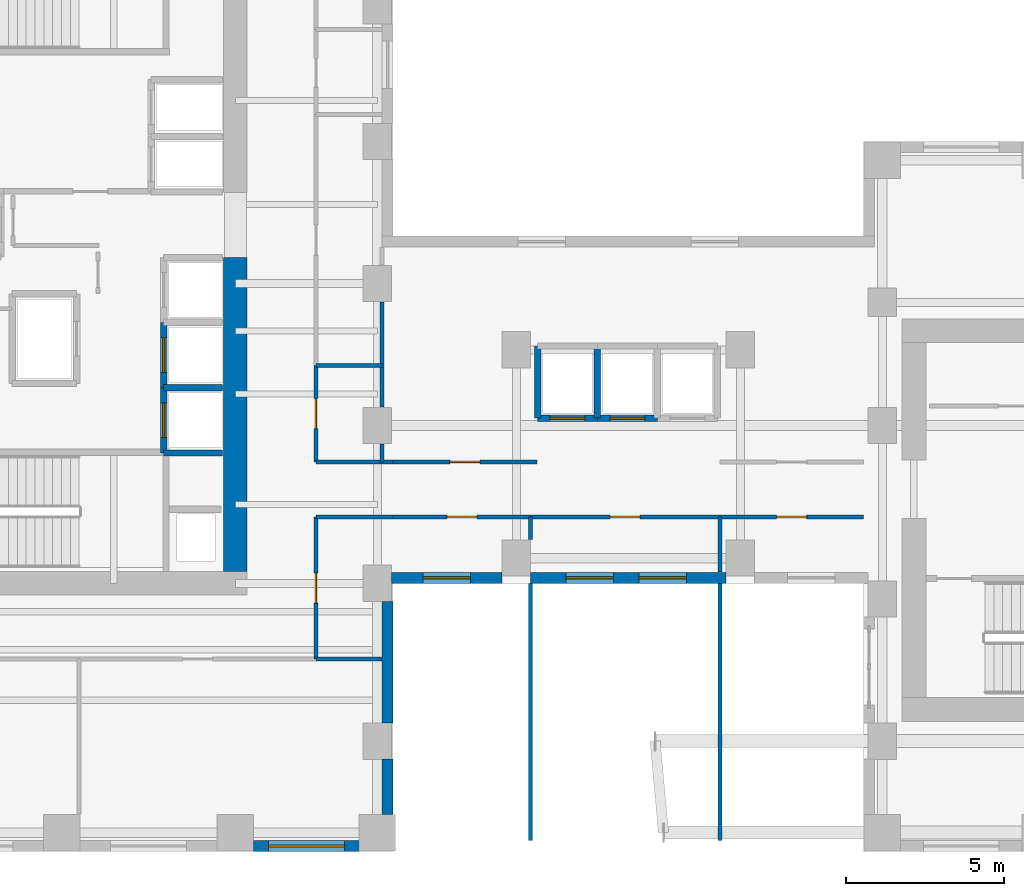
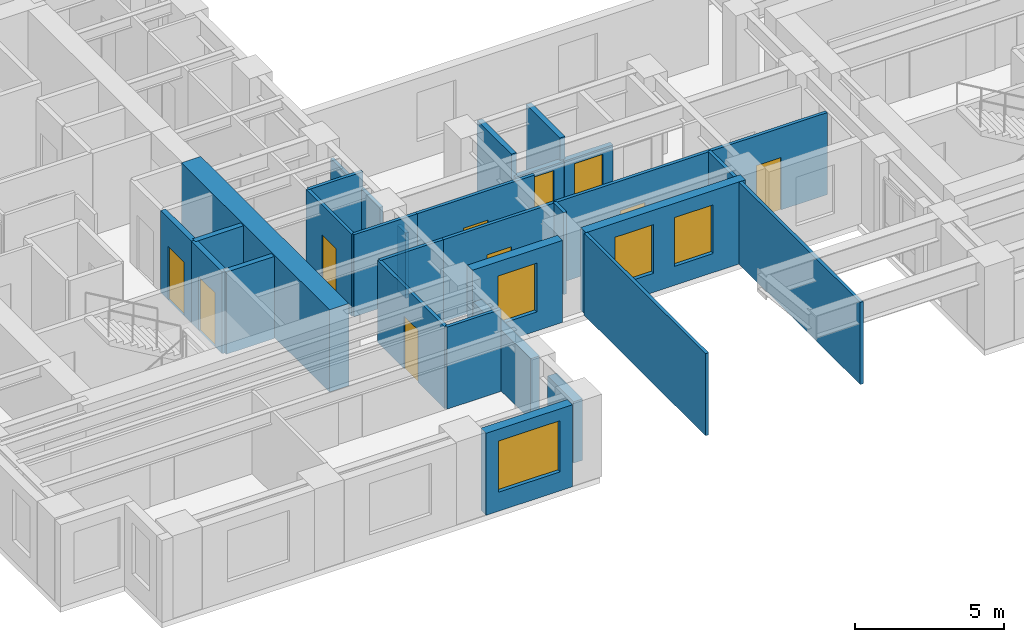
# One storey, part 7 of 14: 30 walls, 10 doors, 4 windows, 14 openings.
"""IFC4 building model written with IfcOpenShell, lengths in metres."""

from ifc_helpers import new_model, si_unit, direction, frame, frame_2d, origin, place, context, subcontext, project, spatial, rectangle, extrude, source, transform, mapped, material, layer, layer_set, type_object, element, fill, save


model = new_model("IFC4")

# Units and contexts
model_context = context("Model", 3, precision=1e-05, world=origin(), true_north=direction((0.0, 1.0)))
body_context = subcontext(model_context, "Body", "Model", "MODEL_VIEW")
ifc_project = project(units=[si_unit("LENGTHUNIT", "METRE"), si_unit("AREAUNIT", "SQUARE_METRE"), si_unit("VOLUMEUNIT", "CUBIC_METRE"), si_unit("PLANEANGLEUNIT", "RADIAN"), si_unit("MASSUNIT", "GRAM", prefix="KILO")], contexts=[model_context])

# Site, building, storey
site_placement = place(None, origin())
site = spatial("IfcSite", under=ifc_project, at=site_placement, CompositionType="ELEMENT")
building_placement = place(site_placement, origin())
building = spatial("IfcBuilding", under=site, at=building_placement, Name="Kharzan Plaza Tower", CompositionType="ELEMENT")
storey_placement = place(building_placement, frame((0.0, 0.0, 88.199951171875)))
storey = spatial("IfcBuildingStorey", under=building, at=storey_placement, Name="L23", CompositionType="ELEMENT", Elevation=88.199951171875)

# Wall, opening, window
ifc_material_1 = material(Name="Concrete C40/50", Category="concrete")
ifc_layer_1 = layer(ifc_material_1, 0.35009765625)
ifc_layer_set_1 = layer_set([ifc_layer_1], Name="Concrete C40/50")
wall_type_1 = type_object("IfcWallType", Name="WL-EXT-MAS-Z2", PredefinedType="SOLIDWALL", material=ifc_layer_set_1)
wall_1_placement = place(storey_placement, frame((15.072998046875, 0.175048828125, 0.0), z_axis=(0.0, 0.0, 1.0), x_axis=(1.0, 0.0, 0.0)))
wall_1 = element("IfcWall", 1, at=wall_1_placement, inside=storey, type_object=wall_type_1, Name="L23 Masonry-Frame Exterior Wall 31", PredefinedType="SOLIDWALL", context=body_context, shape_type="SweptSolid", body=[
    extrude(rectangle(XDim=3.35400390625, YDim=0.35009765625, at=frame_2d((1.677001953125, 0.0))), origin(), (0.0, 0.0, 1.0), 3.364990234375),
])
opening_1_placement = place(wall_1_placement, frame((0.47705078125, 0.0, 0.780029296875)))
opening_1 = element("IfcOpeningElement", 2, at=opening_1_placement, cuts=wall_1, Name="Opening W2", PredefinedType="OPENING", context=body_context, shape_type="SweptSolid", body=[
    extrude(rectangle(XDim=2.39990234375, YDim=2.10009765625, at=frame_2d((1.199951171875, 1.050048828125))), frame((0.0, 0.18505859375, 0.0), z_axis=(0.0, -1.0, 0.0), x_axis=(1.0, 0.0, 0.0)), (0.0, 0.0, 1.0), 0.3701171875),
])
ifc_material_2 = material(Name="Low-E Double Glazing", Category="glass")
window_type_1 = type_object("IfcWindowType", Name="WN-REC-2400x2100", PartitioningType="SINGLE_PANEL", PredefinedType="WINDOW", material=ifc_material_2)
shared_shape_1 = source(origin(), body_context, "Body", "SweptSolid", [
    extrude(rectangle(XDim=2.39990234375, YDim=2.10009765625, at=frame_2d((1.199951171875, 1.050048828125))), frame((0.0, 0.030029296875, 0.0), z_axis=(0.0, -1.0, 0.0), x_axis=(1.0, 0.0, 0.0)), (0.0, 0.0, 1.0), 0.06005859375),
])
window_1_placement = place(opening_1_placement, origin())
window_1 = element("IfcWindow", 3, at=window_1_placement, inside=storey, type_object=window_type_1, Name="L23 Wide Recessed Solar-Control Window 31-1", OverallHeight=2.10009765625, OverallWidth=2.39990234375, PartitioningType="SINGLE_PANEL", PredefinedType="WINDOW", context=body_context, shape_type="MappedRepresentation", body=[
    mapped(shared_shape_1, transform((0.0, 0.0, 0.0), x_axis=(1.0, 0.0, 0.0), y_axis=(0.0, 1.0, 0.0), z_axis=(0.0, 0.0, 1.0))),
])
fill(opening_1, window_1)

wall_2_placement = place(storey_placement, frame((19.447998046875, 8.675048828125, 0.0), z_axis=(0.0, 0.0, 1.0), x_axis=(1.0, 0.0, 0.0)))
wall_2 = element("IfcWall", 4, at=wall_2_placement, inside=storey, type_object=wall_type_1, Name="L23 Masonry-Frame Exterior Wall 34", PredefinedType="SOLIDWALL", context=body_context, shape_type="SweptSolid", body=[
    extrude(rectangle(XDim=3.50390625, YDim=0.35009765625, at=frame_2d((1.751953125, 0.0))), origin(), (0.0, 0.0, 1.0), 3.364990234375),
])
opening_2_placement = place(wall_2_placement, frame((1.001953125, 0.0, 0.780029296875)))
opening_2 = element("IfcOpeningElement", 5, at=opening_2_placement, cuts=wall_2, Name="Opening W5", PredefinedType="OPENING", context=body_context, shape_type="SweptSolid", body=[
    extrude(rectangle(XDim=1.5, YDim=2.0, at=frame_2d((0.75, 1.0))), frame((0.0, 0.18505859375, 0.0), z_axis=(0.0, -1.0, 0.0), x_axis=(1.0, 0.0, 0.0)), (0.0, 0.0, 1.0), 0.3701171875),
])
window_type_2 = type_object("IfcWindowType", Name="WN-SLT-1500x2000", PartitioningType="SINGLE_PANEL", PredefinedType="WINDOW", material=ifc_material_2)
shared_shape_2 = source(origin(), body_context, "Body", "SweptSolid", [
    extrude(rectangle(XDim=1.5, YDim=2.0, at=frame_2d((0.75, 1.0))), frame((0.0, 0.030029296875, 0.0), z_axis=(0.0, -1.0, 0.0), x_axis=(1.0, 0.0, 0.0)), (0.0, 0.0, 1.0), 0.06005859375),
])
window_2_placement = place(opening_2_placement, origin())
window_2 = element("IfcWindow", 6, at=window_2_placement, inside=storey, type_object=window_type_2, Name="L23 Recessed Solar-Control Window 34-1", OverallHeight=2.0, OverallWidth=1.5, PartitioningType="SINGLE_PANEL", PredefinedType="WINDOW", context=body_context, shape_type="MappedRepresentation", body=[
    mapped(shared_shape_2, transform((0.0, 0.0, 0.0), x_axis=(1.0, 0.0, 0.0), y_axis=(0.0, 1.0, 0.0), z_axis=(0.0, 0.0, 1.0))),
])
fill(opening_2, window_2)

# Wall, openings, windows
wall_3_placement = place(storey_placement, frame((23.847900390625, 8.675048828125, 0.0), z_axis=(0.0, 0.0, 1.0), x_axis=(1.0, 0.0, 0.0)))
wall_3 = element("IfcWall", 7, at=wall_3_placement, inside=storey, type_object=wall_type_1, Name="L23 Masonry-Frame Exterior Wall 35", PredefinedType="SOLIDWALL", context=body_context, shape_type="SweptSolid", body=[
    extrude(rectangle(XDim=6.2041015625, YDim=0.35009765625, at=frame_2d((3.10205078125, 0.0))), origin(), (0.0, 0.0, 1.0), 3.364990234375),
])
opening_3_placement = place(wall_3_placement, frame((1.130615234375, 0.0, 0.780029296875)))
opening_3 = element("IfcOpeningElement", 8, at=opening_3_placement, cuts=wall_3, Name="Opening W5", PredefinedType="OPENING", context=body_context, shape_type="SweptSolid", body=[
    extrude(rectangle(XDim=1.5, YDim=2.0, at=frame_2d((0.75, 1.0))), frame((0.0, 0.18505859375, 0.0), z_axis=(0.0, -1.0, 0.0), x_axis=(1.0, 0.0, 0.0)), (0.0, 0.0, 1.0), 0.3701171875),
])
opening_4_placement = place(wall_3_placement, frame((3.44140625, 0.0, 0.780029296875)))
opening_4 = element("IfcOpeningElement", 9, at=opening_4_placement, cuts=wall_3, Name="Opening W5", PredefinedType="OPENING", context=body_context, shape_type="SweptSolid", body=[
    extrude(rectangle(XDim=1.5, YDim=2.0, at=frame_2d((0.75, 1.0))), frame((0.0, 0.18505859375, 0.0), z_axis=(0.0, -1.0, 0.0), x_axis=(1.0, 0.0, 0.0)), (0.0, 0.0, 1.0), 0.3701171875),
])
window_3_placement = place(opening_3_placement, origin())
window_3 = element("IfcWindow", 10, at=window_3_placement, inside=storey, type_object=window_type_2, Name="L23 Recessed Solar-Control Window 35-1", OverallHeight=2.0, OverallWidth=1.5, PartitioningType="SINGLE_PANEL", PredefinedType="WINDOW", context=body_context, shape_type="MappedRepresentation", body=[
    mapped(shared_shape_2, transform((0.0, 0.0, 0.0), x_axis=(1.0, 0.0, 0.0), y_axis=(0.0, 1.0, 0.0), z_axis=(0.0, 0.0, 1.0))),
])
fill(opening_3, window_3)
window_4_placement = place(opening_4_placement, origin())
window_4 = element("IfcWindow", 11, at=window_4_placement, inside=storey, type_object=window_type_2, Name="L23 Recessed Solar-Control Window 35-2", OverallHeight=2.0, OverallWidth=1.5, PartitioningType="SINGLE_PANEL", PredefinedType="WINDOW", context=body_context, shape_type="MappedRepresentation", body=[
    mapped(shared_shape_2, transform((0.0, 0.0, 0.0), x_axis=(1.0, 0.0, 0.0), y_axis=(0.0, 1.0, 0.0), z_axis=(0.0, 0.0, 1.0))),
])
fill(opening_4, window_4)

# Wall, opening, door
ifc_material_3 = material(Name="Fire-Rated Gypsum Board Partition", Category="gypsum")
ifc_layer_2 = layer(ifc_material_3, 0.125)
ifc_layer_set_2 = layer_set([ifc_layer_2], Name="Fire-Rated Gypsum Board Partition")
wall_type_2 = type_object("IfcWallType", Name="WL-INT-PART-125", PredefinedType="PARTITIONING", material=ifc_layer_set_2)
wall_4_placement = place(storey_placement, frame((17.050048828125, 12.35009765625, 0.0), z_axis=(0.0, 0.0, 1.0), x_axis=(0.0, 1.0, 0.0)))
wall_4 = element("IfcWall", 12, at=wall_4_placement, inside=storey, type_object=wall_type_2, Name="L23 Interior Partition SH-AEWN1", PredefinedType="PARTITIONING", context=body_context, shape_type="SweptSolid", body=[
    extrude(rectangle(XDim=3.0498046875, YDim=0.125, at=frame_2d((1.52490234375, 0.0))), origin(), (0.0, 0.0, 1.0), 3.364990234375),
])
opening_5_placement = place(wall_4_placement, frame((1.050048828125, 0.0, 0.0)))
opening_5 = element("IfcOpeningElement", 13, at=opening_5_placement, cuts=wall_4, Name="Opening OD1", PredefinedType="OPENING", context=body_context, shape_type="SweptSolid", body=[
    extrude(rectangle(XDim=0.949951171875, YDim=2.14990234375, at=frame_2d((0.47509765625, 1.074951171875))), frame((0.0, 0.072509765625, 0.0), z_axis=(0.0, -1.0, 0.0), x_axis=(1.0, 0.0, 0.0)), (0.0, 0.0, 1.0), 0.14501953125),
])
ifc_material_4 = material(Name="Acoustic Solid-Core Stained Oak", Category="timber")
door_type_1 = type_object("IfcDoorType", Name="DR-OFF-SINGLE", OperationType="NOTDEFINED", PredefinedType="DOOR", material=ifc_material_4)
shared_shape_3 = source(origin(), body_context, "Body", "SweptSolid", [
    extrude(rectangle(XDim=0.949951171875, YDim=2.14990234375, at=frame_2d((0.47509765625, 1.074951171875))), frame((0.0, 0.02490234375, 0.0), z_axis=(0.0, -1.0, 0.0), x_axis=(1.0, 0.0, 0.0)), (0.0, 0.0, 1.0), 0.050048828125),
])
door_1_placement = place(opening_5_placement, origin())
door_1 = element("IfcDoor", 14, at=door_1_placement, inside=storey, type_object=door_type_1, Name="L23 Slot Collaboration Door", OperationType="SINGLE_SWING_RIGHT", OverallHeight=2.14990234375, OverallWidth=0.949951171875, PredefinedType="DOOR", context=body_context, shape_type="MappedRepresentation", body=[
    mapped(shared_shape_3, transform((0.0, 0.0, 0.0), x_axis=(1.0, 0.0, 0.0), y_axis=(0.0, 1.0, 0.0), z_axis=(0.0, 0.0, 1.0))),
])
fill(opening_5, door_1)

wall_5_placement = place(storey_placement, frame((17.050048828125, 6.10009765625, 0.0), z_axis=(0.0, 0.0, 1.0), x_axis=(0.0, 1.0, 0.0)))
wall_5 = element("IfcWall", 15, at=wall_5_placement, inside=storey, type_object=wall_type_2, Name="L23 Interior Partition SH-AEWS", PredefinedType="PARTITIONING", context=body_context, shape_type="SweptSolid", body=[
    extrude(rectangle(XDim=4.5, YDim=0.125, at=frame_2d((2.25, 0.0))), origin(), (0.0, 0.0, 1.0), 3.364990234375),
])
opening_6_placement = place(wall_5_placement, frame((1.77490234375, 0.0, 0.0)))
opening_6 = element("IfcOpeningElement", 16, at=opening_6_placement, cuts=wall_5, Name="Opening OD1", PredefinedType="OPENING", context=body_context, shape_type="SweptSolid", body=[
    extrude(rectangle(XDim=0.949951171875, YDim=2.14990234375, at=frame_2d((0.47509765625, 1.074951171875))), frame((0.0, 0.072509765625, 0.0), z_axis=(0.0, -1.0, 0.0), x_axis=(1.0, 0.0, 0.0)), (0.0, 0.0, 1.0), 0.14501953125),
])
door_2_placement = place(opening_6_placement, origin())
door_2 = element("IfcDoor", 17, at=door_2_placement, inside=storey, type_object=door_type_1, Name="L23 Slot South Office Door", OperationType="SINGLE_SWING_LEFT", OverallHeight=2.14990234375, OverallWidth=0.949951171875, PredefinedType="DOOR", context=body_context, shape_type="MappedRepresentation", body=[
    mapped(shared_shape_3, transform((0.0, 0.0, 0.0), x_axis=(1.0, 0.0, 0.0), y_axis=(0.0, 1.0, 0.0), z_axis=(0.0, 0.0, 1.0))),
])
fill(opening_6, door_2)

wall_6_placement = place(storey_placement, frame((19.5, 12.35009765625, 0.0), z_axis=(0.0, 0.0, 1.0), x_axis=(1.0, 0.0, 0.0)))
wall_6 = element("IfcWall", 18, at=wall_6_placement, inside=storey, type_object=wall_type_2, Name="L23 Interior Partition SH-SPNW1", PredefinedType="PARTITIONING", context=body_context, shape_type="SweptSolid", body=[
    extrude(rectangle(XDim=4.550048828125, YDim=0.125, at=frame_2d((2.27490234375, 0.0))), origin(), (0.0, 0.0, 1.0), 3.364990234375),
])
opening_7_placement = place(wall_6_placement, frame((1.800048828125, 0.0, 0.0)))
opening_7 = element("IfcOpeningElement", 19, at=opening_7_placement, cuts=wall_6, Name="Opening OD1", PredefinedType="OPENING", context=body_context, shape_type="SweptSolid", body=[
    extrude(rectangle(XDim=0.949951171875, YDim=2.14990234375, at=frame_2d((0.47509765625, 1.074951171875))), frame((0.0, 0.072509765625, 0.0), z_axis=(0.0, -1.0, 0.0), x_axis=(1.0, 0.0, 0.0)), (0.0, 0.0, 1.0), 0.14501953125),
])
door_3_placement = place(opening_7_placement, origin())
door_3 = element("IfcDoor", 20, at=door_3_placement, inside=storey, type_object=door_type_1, Name="L23 North-West Spine Door", OperationType="SINGLE_SWING_LEFT", OverallHeight=2.14990234375, OverallWidth=0.949951171875, PredefinedType="DOOR", context=body_context, shape_type="MappedRepresentation", body=[
    mapped(shared_shape_3, transform((0.0, 0.0, 0.0), x_axis=(1.0, 0.0, 0.0), y_axis=(0.0, 1.0, 0.0), z_axis=(0.0, 0.0, 1.0))),
])
fill(opening_7, door_3)

wall_7_placement = place(storey_placement, frame((19.5, 10.60009765625, 0.0), z_axis=(0.0, 0.0, 1.0), x_axis=(1.0, 0.0, 0.0)))
wall_7 = element("IfcWall", 21, at=wall_7_placement, inside=storey, type_object=wall_type_2, Name="L23 Interior Partition SH-SPS1", PredefinedType="PARTITIONING", context=body_context, shape_type="SweptSolid", body=[
    extrude(rectangle(XDim=4.35009765625, YDim=0.125, at=frame_2d((2.175048828125, 0.0))), origin(), (0.0, 0.0, 1.0), 3.364990234375),
])
opening_8_placement = place(wall_7_placement, frame((1.699951171875, 0.0, 0.0)))
opening_8 = element("IfcOpeningElement", 22, at=opening_8_placement, cuts=wall_7, Name="Opening OD1", PredefinedType="OPENING", context=body_context, shape_type="SweptSolid", body=[
    extrude(rectangle(XDim=0.949951171875, YDim=2.14990234375, at=frame_2d((0.47509765625, 1.074951171875))), frame((0.0, 0.072509765625, 0.0), z_axis=(0.0, -1.0, 0.0), x_axis=(1.0, 0.0, 0.0)), (0.0, 0.0, 1.0), 0.14501953125),
])
door_4_placement = place(opening_8_placement, origin())
door_4 = element("IfcDoor", 23, at=door_4_placement, inside=storey, type_object=door_type_1, Name="L23 Spine Studio 1 Door", OperationType="SINGLE_SWING_RIGHT", OverallHeight=2.14990234375, OverallWidth=0.949951171875, PredefinedType="DOOR", context=body_context, shape_type="MappedRepresentation", body=[
    mapped(shared_shape_3, transform((0.0, 0.0, 0.0), x_axis=(1.0, 0.0, 0.0), y_axis=(0.0, 1.0, 0.0), z_axis=(0.0, 0.0, 1.0))),
])
fill(opening_8, door_4)

wall_8_placement = place(storey_placement, frame((23.85009765625, 10.60009765625, 0.0), z_axis=(0.0, 0.0, 1.0), x_axis=(1.0, 0.0, 0.0)))
wall_8 = element("IfcWall", 24, at=wall_8_placement, inside=storey, type_object=wall_type_2, Name="L23 Interior Partition SH-SPS2", PredefinedType="PARTITIONING", context=body_context, shape_type="SweptSolid", body=[
    extrude(rectangle(XDim=6.0, YDim=0.125, at=frame_2d((3.0, 0.0))), origin(), (0.0, 0.0, 1.0), 3.364990234375),
])
opening_9_placement = place(wall_8_placement, frame((2.52490234375, 0.0, 0.0)))
opening_9 = element("IfcOpeningElement", 25, at=opening_9_placement, cuts=wall_8, Name="Opening OD1", PredefinedType="OPENING", context=body_context, shape_type="SweptSolid", body=[
    extrude(rectangle(XDim=0.949951171875, YDim=2.14990234375, at=frame_2d((0.47509765625, 1.074951171875))), frame((0.0, 0.072509765625, 0.0), z_axis=(0.0, -1.0, 0.0), x_axis=(1.0, 0.0, 0.0)), (0.0, 0.0, 1.0), 0.14501953125),
])
door_5_placement = place(opening_9_placement, origin())
door_5 = element("IfcDoor", 26, at=door_5_placement, inside=storey, type_object=door_type_1, Name="L23 Spine Studio 2 Door", OperationType="SINGLE_SWING_LEFT", OverallHeight=2.14990234375, OverallWidth=0.949951171875, PredefinedType="DOOR", context=body_context, shape_type="MappedRepresentation", body=[
    mapped(shared_shape_3, transform((0.0, 0.0, 0.0), x_axis=(1.0, 0.0, 0.0), y_axis=(0.0, 1.0, 0.0), z_axis=(0.0, 0.0, 1.0))),
])
fill(opening_9, door_5)

wall_9_placement = place(storey_placement, frame((29.85009765625, 10.60009765625, 0.0), z_axis=(0.0, 0.0, 1.0), x_axis=(1.0, 0.0, 0.0)))
wall_9 = element("IfcWall", 27, at=wall_9_placement, inside=storey, type_object=wall_type_2, Name="L23 Interior Partition SH-SPS3", PredefinedType="PARTITIONING", context=body_context, shape_type="SweptSolid", body=[
    extrude(rectangle(XDim=4.5498046875, YDim=0.125, at=frame_2d((2.27490234375, 0.0))), origin(), (0.0, 0.0, 1.0), 3.364990234375),
])
opening_10_placement = place(wall_9_placement, frame((1.800048828125, 0.0, 0.0)))
opening_10 = element("IfcOpeningElement", 28, at=opening_10_placement, cuts=wall_9, Name="Opening OD1", PredefinedType="OPENING", context=body_context, shape_type="SweptSolid", body=[
    extrude(rectangle(XDim=0.949951171875, YDim=2.14990234375, at=frame_2d((0.47509765625, 1.074951171875))), frame((0.0, 0.072509765625, 0.0), z_axis=(0.0, -1.0, 0.0), x_axis=(1.0, 0.0, 0.0)), (0.0, 0.0, 1.0), 0.14501953125),
])
door_6_placement = place(opening_10_placement, origin())
door_6 = element("IfcDoor", 29, at=door_6_placement, inside=storey, type_object=door_type_1, Name="L23 Spine Studio 3 Door", OperationType="SINGLE_SWING_RIGHT", OverallHeight=2.14990234375, OverallWidth=0.949951171875, PredefinedType="DOOR", context=body_context, shape_type="MappedRepresentation", body=[
    mapped(shared_shape_3, transform((0.0, 0.0, 0.0), x_axis=(1.0, 0.0, 0.0), y_axis=(0.0, 1.0, 0.0), z_axis=(0.0, 0.0, 1.0))),
])
fill(opening_10, door_6)

ifc_layer_3 = layer(ifc_material_1, 0.199951171875)
ifc_layer_set_3 = layer_set([ifc_layer_3], Name="Concrete C40/50")
wall_type_3 = type_object("IfcWallType", Name="WL-INT-SHAFT-200", PredefinedType="PARTITIONING", material=ifc_layer_set_3)
wall_10_placement = place(storey_placement, frame((12.22998046875, 12.6298828125, 0.0), z_axis=(0.0, 0.0, 1.0), x_axis=(0.0, 1.0, 0.0)))
wall_10 = element("IfcWall", 30, at=wall_10_placement, inside=storey, type_object=wall_type_3, Name="L23 Interior Partition SHF-PL-H1-W", PredefinedType="PARTITIONING", context=body_context, shape_type="SweptSolid", body=[
    extrude(rectangle(XDim=2.070068359375, YDim=0.199951171875, at=frame_2d((1.03515625, 0.0))), origin(), (0.0, 0.0, 1.0), 3.364990234375),
])
opening_11_placement = place(wall_10_placement, frame((0.485107421875, 0.0, 0.0)))
opening_11 = element("IfcOpeningElement", 31, at=opening_11_placement, cuts=wall_10, Name="Opening LD", PredefinedType="OPENING", context=body_context, shape_type="SweptSolid", body=[
    extrude(rectangle(XDim=1.10009765625, YDim=2.199951171875, at=frame_2d((0.550048828125, 1.10009765625))), frame((0.0, 0.10986328125, 0.0), z_axis=(0.0, -1.0, 0.0), x_axis=(1.0, 0.0, 0.0)), (0.0, 0.0, 1.0), 0.219970703125),
])
ifc_material_5 = material(Name="Brushed Stainless Steel", Category="steel")
door_type_2 = type_object("IfcDoorType", Name="DR-LIFT-SLIDE", OperationType="SLIDING_TO_LEFT", PredefinedType="DOOR", material=ifc_material_5)
shared_shape_4 = source(origin(), body_context, "Body", "SweptSolid", [
    extrude(rectangle(XDim=1.10009765625, YDim=2.199951171875, at=frame_2d((0.550048828125, 1.10009765625))), frame((0.0, 0.02490234375, 0.0), z_axis=(0.0, -1.0, 0.0), x_axis=(1.0, 0.0, 0.0)), (0.0, 0.0, 1.0), 0.050048828125),
])
door_7_placement = place(opening_11_placement, origin())
door_7 = element("IfcDoor", 32, at=door_7_placement, inside=storey, type_object=door_type_2, Name="L23 High-Rise Passenger Lift PL-H1 Sliding Landing Door", OperationType="SLIDING_TO_LEFT", OverallHeight=2.199951171875, OverallWidth=1.10009765625, PredefinedType="DOOR", context=body_context, shape_type="MappedRepresentation", body=[
    mapped(shared_shape_4, transform((0.0, 0.0, 0.0), x_axis=(1.0, 0.0, 0.0), y_axis=(0.0, 1.0, 0.0), z_axis=(0.0, 0.0, 1.0))),
])
fill(opening_11, door_7)

wall_11_placement = place(storey_placement, frame((12.22998046875, 14.699951171875, 0.0), z_axis=(0.0, 0.0, 1.0), x_axis=(0.0, 1.0, 0.0)))
wall_11 = element("IfcWall", 33, at=wall_11_placement, inside=storey, type_object=wall_type_3, Name="L23 Interior Partition SHF-PL-H2-W", PredefinedType="PARTITIONING", context=body_context, shape_type="SweptSolid", body=[
    extrude(rectangle(XDim=2.070068359375, YDim=0.199951171875, at=frame_2d((1.03515625, 0.0))), origin(), (0.0, 0.0, 1.0), 3.364990234375),
])
opening_12_placement = place(wall_11_placement, frame((0.485107421875, 0.0, 0.0)))
opening_12 = element("IfcOpeningElement", 34, at=opening_12_placement, cuts=wall_11, Name="Opening LD", PredefinedType="OPENING", context=body_context, shape_type="SweptSolid", body=[
    extrude(rectangle(XDim=1.10009765625, YDim=2.199951171875, at=frame_2d((0.550048828125, 1.10009765625))), frame((0.0, 0.10986328125, 0.0), z_axis=(0.0, -1.0, 0.0), x_axis=(1.0, 0.0, 0.0)), (0.0, 0.0, 1.0), 0.219970703125),
])
door_8_placement = place(opening_12_placement, origin())
door_8 = element("IfcDoor", 35, at=door_8_placement, inside=storey, type_object=door_type_2, Name="L23 High-Rise Passenger Lift PL-H2 Sliding Landing Door", OperationType="SLIDING_TO_LEFT", OverallHeight=2.199951171875, OverallWidth=1.10009765625, PredefinedType="DOOR", context=body_context, shape_type="MappedRepresentation", body=[
    mapped(shared_shape_4, transform((0.0, 0.0, 0.0), x_axis=(1.0, 0.0, 0.0), y_axis=(0.0, 1.0, 0.0), z_axis=(0.0, 0.0, 1.0))),
])
fill(opening_12, door_8)

wall_12_placement = place(storey_placement, frame((24.080078125, 13.72998046875, 0.0), z_axis=(0.0, 0.0, 1.0), x_axis=(1.0, 0.0, 0.0)))
wall_12 = element("IfcWall", 36, at=wall_12_placement, inside=storey, type_object=wall_type_3, Name="L23 Interior Partition SHF-PL-M1-S", PredefinedType="PARTITIONING", context=body_context, shape_type="SweptSolid", body=[
    extrude(rectangle(XDim=1.889892578125, YDim=0.199951171875, at=frame_2d((0.94482421875, 0.0))), origin(), (0.0, 0.0, 1.0), 2.446044921875),
])
opening_13_placement = place(wall_12_placement, frame((0.39501953125, 0.0, 0.0)))
opening_13 = element("IfcOpeningElement", 37, at=opening_13_placement, cuts=wall_12, Name="Opening LD", PredefinedType="OPENING", context=body_context, shape_type="SweptSolid", body=[
    extrude(rectangle(XDim=1.10009765625, YDim=2.199951171875, at=frame_2d((0.550048828125, 1.10009765625))), frame((0.0, 0.10986328125, 0.0), z_axis=(0.0, -1.0, 0.0), x_axis=(1.0, 0.0, 0.0)), (0.0, 0.0, 1.0), 0.219970703125),
])
door_9_placement = place(opening_13_placement, origin())
door_9 = element("IfcDoor", 38, at=door_9_placement, inside=storey, type_object=door_type_2, Name="L23 Mid-Rise Passenger Lift PL-M1 Sliding Landing Door", OperationType="SLIDING_TO_LEFT", OverallHeight=2.199951171875, OverallWidth=1.10009765625, PredefinedType="DOOR", context=body_context, shape_type="MappedRepresentation", body=[
    mapped(shared_shape_4, transform((0.0, 0.0, 0.0), x_axis=(1.0, 0.0, 0.0), y_axis=(0.0, 1.0, 0.0), z_axis=(0.0, 0.0, 1.0))),
])
fill(opening_13, door_9)

wall_13_placement = place(storey_placement, frame((25.97998046875, 13.72998046875, 0.0), z_axis=(0.0, 0.0, 1.0), x_axis=(1.0, 0.0, 0.0)))
wall_13 = element("IfcWall", 39, at=wall_13_placement, inside=storey, type_object=wall_type_3, Name="L23 Interior Partition SHF-PL-M2-S", PredefinedType="PARTITIONING", context=body_context, shape_type="SweptSolid", body=[
    extrude(rectangle(XDim=1.89013671875, YDim=0.199951171875, at=frame_2d((0.945068359375, 0.0))), origin(), (0.0, 0.0, 1.0), 2.446044921875),
])
opening_14_placement = place(wall_13_placement, frame((0.39501953125, 0.0, 0.0)))
opening_14 = element("IfcOpeningElement", 40, at=opening_14_placement, cuts=wall_13, Name="Opening LD", PredefinedType="OPENING", context=body_context, shape_type="SweptSolid", body=[
    extrude(rectangle(XDim=1.10009765625, YDim=2.199951171875, at=frame_2d((0.550048828125, 1.10009765625))), frame((0.0, 0.10986328125, 0.0), z_axis=(0.0, -1.0, 0.0), x_axis=(1.0, 0.0, 0.0)), (0.0, 0.0, 1.0), 0.219970703125),
])
door_10_placement = place(opening_14_placement, origin())
door_10 = element("IfcDoor", 41, at=door_10_placement, inside=storey, type_object=door_type_2, Name="L23 Mid-Rise Passenger Lift PL-M2 Sliding Landing Door", OperationType="SLIDING_TO_LEFT", OverallHeight=2.199951171875, OverallWidth=1.10009765625, PredefinedType="DOOR", context=body_context, shape_type="MappedRepresentation", body=[
    mapped(shared_shape_4, transform((0.0, 0.0, 0.0), x_axis=(1.0, 0.0, 0.0), y_axis=(0.0, 1.0, 0.0), z_axis=(0.0, 0.0, 1.0))),
])
fill(opening_14, door_10)

# Walls
shared_shape_5 = source(origin(), body_context, "Body", "SweptSolid", [
    extrude(rectangle(XDim=2.2900390625, YDim=0.199951171875, at=frame_2d((1.14501953125, 0.0))), origin(), (0.0, 0.0, 1.0), 3.364990234375),
])
for number, where, z_axis, x_axis, name in (
    (42, (25.969970703125, 13.72998046875, 0.0), (0.0, 0.0, 1.0), (0.0, 1.0, 0.0), "L23 Interior Partition SHF-PL-M1-E"),
    (43, (24.080078125, 13.72998046875, 0.0), (0.0, 0.0, 1.0), (0.0, 1.0, 0.0), "L23 Interior Partition SHF-PL-M1-W"),
):
    element("IfcWall", number, at=place(storey_placement, frame(where, z_axis=z_axis, x_axis=x_axis)), inside=storey, type_object=wall_type_3, Name=name, PredefinedType="PARTITIONING", context=body_context, shape_type="MappedRepresentation", body=[
        mapped(shared_shape_5, transform((0.0, 0.0, 0.0), x_axis=(1.0, 0.0, 0.0), y_axis=(0.0, 1.0, 0.0), z_axis=(0.0, 0.0, 1.0))),
    ])
shared_shape_6 = source(origin(), body_context, "Body", "SweptSolid", [
    extrude(rectangle(XDim=2.097900390625, YDim=0.125, at=frame_2d((1.048828125, 0.0))), origin(), (0.0, 0.0, 1.0), 3.364990234375),
])
wall_14_placement = place(storey_placement, frame((17.050048828125, 6.10009765625, 0.0), z_axis=(0.0, 0.0, 1.0), x_axis=(1.0, 0.0, 0.0)))
element("IfcWall", 44, at=wall_14_placement, inside=storey, type_object=wall_type_2, Name="L23 Interior Partition SH-SSE-2", PredefinedType="PARTITIONING", context=body_context, shape_type="MappedRepresentation", body=[
    mapped(shared_shape_6, transform((0.0, 0.0, 0.0), x_axis=(1.0, 0.0, 0.0), y_axis=(0.0, 1.0, 0.0), z_axis=(0.0, 0.0, 1.0))),
])
shared_shape_7 = source(origin(), body_context, "Body", "SweptSolid", [
    extrude(rectangle(XDim=2.449951171875, YDim=0.125, at=frame_2d((1.22509765625, 0.0))), origin(), (0.0, 0.0, 1.0), 3.364990234375),
])
for number, where, z_axis, x_axis, name in (
    (45, (17.050048828125, 12.35009765625, 0.0), (0.0, 0.0, 1.0), (1.0, 0.0, 0.0), "L23 Interior Partition SH-SPNW0"),
    (46, (17.050048828125, 10.60009765625, 0.0), (0.0, 0.0, 1.0), (1.0, 0.0, 0.0), "L23 Interior Partition SH-SPS0"),
):
    element("IfcWall", number, at=place(storey_placement, frame(where, z_axis=z_axis, x_axis=x_axis)), inside=storey, type_object=wall_type_2, Name=name, PredefinedType="PARTITIONING", context=body_context, shape_type="MappedRepresentation", body=[
        mapped(shared_shape_7, transform((0.0, 0.0, 0.0), x_axis=(1.0, 0.0, 0.0), y_axis=(0.0, 1.0, 0.0), z_axis=(0.0, 0.0, 1.0))),
    ])
shared_shape_8 = source(origin(), body_context, "Body", "SweptSolid", [
    extrude(rectangle(XDim=8.14794921875, YDim=0.125, at=frame_2d((4.073974609375, 0.0))), origin(), (0.0, 0.0, 1.0), 3.364990234375),
])
for number, where, z_axis, x_axis, name in (
    (47, (23.85009765625, 0.35009765625, 0.0), (0.0, 0.0, 1.0), (0.0, 1.0, 0.0), "L23 Interior Partition SH-SPSV1-S1"),
    (48, (29.85009765625, 0.35009765625, 0.0), (0.0, 0.0, 1.0), (0.0, 1.0, 0.0), "L23 Interior Partition SH-SPSV2-S1"),
):
    element("IfcWall", number, at=place(storey_placement, frame(where, z_axis=z_axis, x_axis=x_axis)), inside=storey, type_object=wall_type_2, Name=name, PredefinedType="PARTITIONING", context=body_context, shape_type="MappedRepresentation", body=[
        mapped(shared_shape_8, transform((0.0, 0.0, 0.0), x_axis=(1.0, 0.0, 0.0), y_axis=(0.0, 1.0, 0.0), z_axis=(0.0, 0.0, 1.0))),
    ])
shared_shape_9 = source(origin(), body_context, "Body", "SweptSolid", [
    extrude(rectangle(XDim=1.748046875, YDim=0.125, at=frame_2d((0.8740234375, 0.0))), origin(), (0.0, 0.0, 1.0), 3.364990234375),
])
wall_15_placement = place(storey_placement, frame((29.85009765625, 8.85205078125, 0.0), z_axis=(0.0, 0.0, 1.0), x_axis=(0.0, 1.0, 0.0)))
element("IfcWall", 49, at=wall_15_placement, inside=storey, type_object=wall_type_2, Name="L23 Interior Partition SH-SPSV2-S2", PredefinedType="PARTITIONING", context=body_context, shape_type="MappedRepresentation", body=[
    mapped(shared_shape_9, transform((0.0, 0.0, 0.0), x_axis=(1.0, 0.0, 0.0), y_axis=(0.0, 1.0, 0.0), z_axis=(0.0, 0.0, 1.0))),
])
shared_shape_10 = source(origin(), body_context, "Body", "SweptSolid", [
    extrude(rectangle(XDim=2.099853515625, YDim=0.125, at=frame_2d((1.0498046875, 0.0))), origin(), (0.0, 0.0, 1.0), 3.364990234375),
])
wall_16_placement = place(storey_placement, frame((17.050048828125, 15.39990234375, 0.0), z_axis=(0.0, 0.0, 1.0), x_axis=(1.0, 0.0, 0.0)))
element("IfcWall", 50, at=wall_16_placement, inside=storey, type_object=wall_type_2, Name="L23 Interior Partition SH-AEH-154", PredefinedType="PARTITIONING", context=body_context, shape_type="MappedRepresentation", body=[
    mapped(shared_shape_10, transform((0.0, 0.0, 0.0), x_axis=(1.0, 0.0, 0.0), y_axis=(0.0, 1.0, 0.0), z_axis=(0.0, 0.0, 1.0))),
])
ifc_material_6 = material(Name="Concrete C60/75", Category="concrete")
ifc_layer_4 = layer(ifc_material_6, 0.75)
ifc_layer_set_4 = layer_set([ifc_layer_4], Name="Concrete C60/75")
wall_type_4 = type_object("IfcWallType", Name="WL-CORE-750", PredefinedType="SHEAR", material=ifc_layer_set_4)
shared_shape_11 = source(origin(), body_context, "Body", "SweptSolid", [
    extrude(rectangle(XDim=9.945068359375, YDim=0.75, at=frame_2d((4.97265625, 0.0))), origin(), (0.0, 0.0, 1.0), 3.380126953125),
])
wall_17_placement = place(storey_placement, frame((14.5, 8.875, 0.0), z_axis=(0.0, 0.0, 1.0), x_axis=(0.0, 1.0, 0.0)))
element("IfcWall", 51, at=wall_17_placement, inside=storey, type_object=wall_type_4, Name="L23 CORE-A east shear pier 1", PredefinedType="SHEAR", context=body_context, shape_type="MappedRepresentation", body=[
    mapped(shared_shape_11, transform((0.0, 0.0, 0.0), x_axis=(1.0, 0.0, 0.0), y_axis=(0.0, 1.0, 0.0), z_axis=(0.0, 0.0, 1.0))),
])
shared_shape_12 = source(origin(), body_context, "Body", "SweptSolid", [
    extrude(rectangle(XDim=1.75390625, YDim=0.35009765625, at=frame_2d((0.876953125, 0.0))), origin(), (0.0, 0.0, 1.0), 2.51904296875),
])
wall_18_placement = place(storey_placement, frame((19.324951171875, 1.173095703125, 0.0), z_axis=(0.0, 0.0, 1.0), x_axis=(0.0, 1.0, 0.0)))
element("IfcWall", 52, at=wall_18_placement, inside=storey, type_object=wall_type_1, Name="L23 Masonry-Frame Exterior Wall 32", PredefinedType="SOLIDWALL", context=body_context, shape_type="MappedRepresentation", body=[
    mapped(shared_shape_12, transform((0.0, 0.0, 0.0), x_axis=(1.0, 0.0, 0.0), y_axis=(0.0, 1.0, 0.0), z_axis=(0.0, 0.0, 1.0))),
])
shared_shape_13 = source(origin(), body_context, "Body", "SweptSolid", [
    extrude(rectangle(XDim=0.559814453125, YDim=0.125, at=frame_2d((0.27978515625, 0.0))), origin(), (0.0, 0.0, 1.0), 2.677001953125),
])
wall_19_placement = place(storey_placement, frame((19.14990234375, 12.35009765625, 0.0), z_axis=(0.0, 0.0, 1.0), x_axis=(0.0, 1.0, 0.0)))
element("IfcWall", 53, at=wall_19_placement, inside=storey, type_object=wall_type_2, Name="L23 Interior Partition SH-AEN-DIV-S1", PredefinedType="PARTITIONING", context=body_context, shape_type="MappedRepresentation", body=[
    mapped(shared_shape_13, transform((0.0, 0.0, 0.0), x_axis=(1.0, 0.0, 0.0), y_axis=(0.0, 1.0, 0.0), z_axis=(0.0, 0.0, 1.0))),
])
shared_shape_14 = source(origin(), body_context, "Body", "SweptSolid", [
    extrude(rectangle(XDim=3.31982421875, YDim=0.125, at=frame_2d((1.659912109375, 0.0))), origin(), (0.0, 0.0, 1.0), 2.677001953125),
])
wall_20_placement = place(storey_placement, frame((19.14990234375, 14.090087890625, 0.0), z_axis=(0.0, 0.0, 1.0), x_axis=(0.0, 1.0, 0.0)))
element("IfcWall", 54, at=wall_20_placement, inside=storey, type_object=wall_type_2, Name="L23 Interior Partition SH-AEN-DIV-S2", PredefinedType="PARTITIONING", context=body_context, shape_type="MappedRepresentation", body=[
    mapped(shared_shape_14, transform((0.0, 0.0, 0.0), x_axis=(1.0, 0.0, 0.0), y_axis=(0.0, 1.0, 0.0), z_axis=(0.0, 0.0, 1.0))),
])
shared_shape_15 = source(origin(), body_context, "Body", "SweptSolid", [
    extrude(rectangle(XDim=1.864990234375, YDim=0.199951171875, at=frame_2d((0.9326171875, 0.0))), origin(), (0.0, 0.0, 1.0), 3.364990234375),
])
for number, where, z_axis, x_axis, name in (
    (55, (12.22998046875, 14.699951171875, 0.0), (0.0, 0.0, 1.0), (1.0, 0.0, 0.0), "L23 Interior Partition SHF-PL-H1-N"),
    (56, (12.22998046875, 12.6298828125, 0.0), (0.0, 0.0, 1.0), (1.0, 0.0, 0.0), "L23 Interior Partition SHF-PL-H1-S"),
):
    element("IfcWall", number, at=place(storey_placement, frame(where, z_axis=z_axis, x_axis=x_axis)), inside=storey, type_object=wall_type_3, Name=name, PredefinedType="PARTITIONING", context=body_context, shape_type="MappedRepresentation", body=[
        mapped(shared_shape_15, transform((0.0, 0.0, 0.0), x_axis=(1.0, 0.0, 0.0), y_axis=(0.0, 1.0, 0.0), z_axis=(0.0, 0.0, 1.0))),
    ])
shared_shape_16 = source(origin(), body_context, "Body", "SweptSolid", [
    extrude(rectangle(XDim=0.710205078125, YDim=0.125, at=frame_2d((0.35498046875, 0.0))), origin(), (0.0, 0.0, 1.0), 3.364990234375),
])
wall_21_placement = place(storey_placement, frame((23.85009765625, 9.889892578125, 0.0), z_axis=(0.0, 0.0, 1.0), x_axis=(0.0, 1.0, 0.0)))
element("IfcWall", 57, at=wall_21_placement, inside=storey, type_object=wall_type_2, Name="L23 Interior Partition SH-SPSV1-S2", PredefinedType="PARTITIONING", context=body_context, shape_type="MappedRepresentation", body=[
    mapped(shared_shape_16, transform((0.0, 0.0, 0.0), x_axis=(1.0, 0.0, 0.0), y_axis=(0.0, 1.0, 0.0), z_axis=(0.0, 0.0, 1.0))),
])
shared_shape_17 = source(origin(), body_context, "Body", "SweptSolid", [
    extrude(rectangle(XDim=3.85400390625, YDim=0.35009765625, at=frame_2d((1.927001953125, 0.0))), origin(), (0.0, 0.0, 1.0), 2.51904296875),
])
wall_22_placement = place(storey_placement, frame((19.324951171875, 4.072998046875, 0.0), z_axis=(0.0, 0.0, 1.0), x_axis=(0.0, 1.0, 0.0)))
element("IfcWall", 58, at=wall_22_placement, inside=storey, type_object=wall_type_1, Name="L23 Masonry-Frame Exterior Wall 33", PredefinedType="SOLIDWALL", context=body_context, shape_type="MappedRepresentation", body=[
    mapped(shared_shape_17, transform((0.0, 0.0, 0.0), x_axis=(1.0, 0.0, 0.0), y_axis=(0.0, 1.0, 0.0), z_axis=(0.0, 0.0, 1.0))),
])

save(model, "model.ifc")
